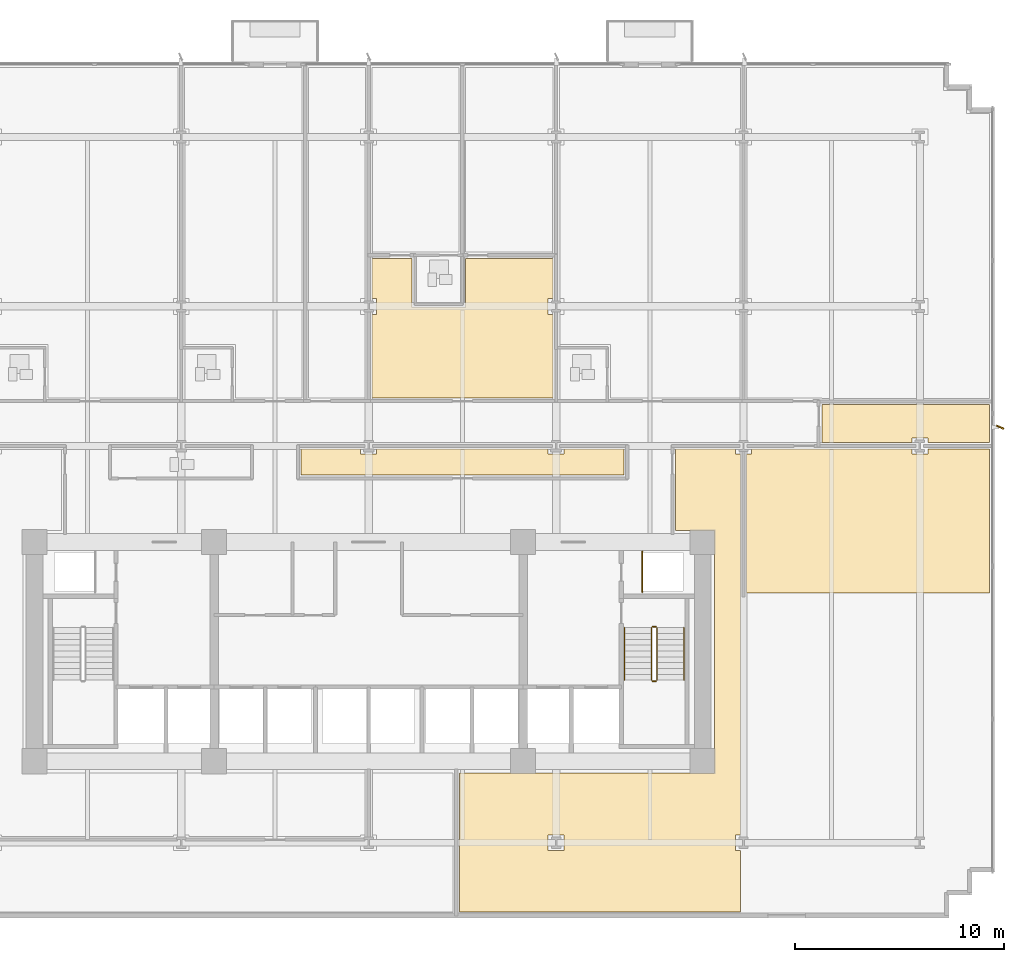
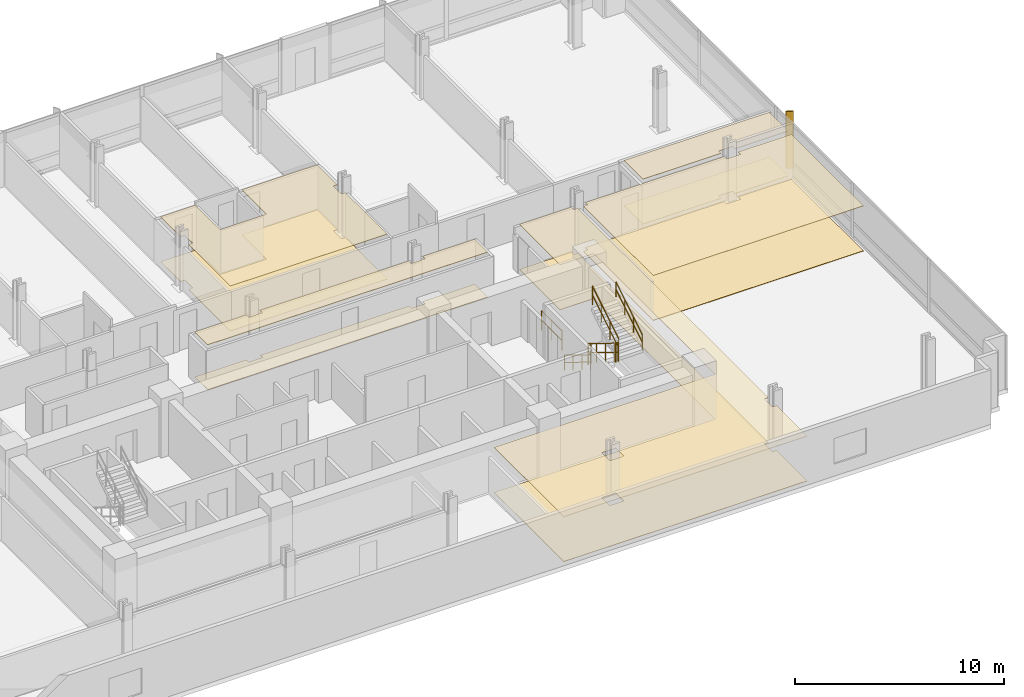
# One storey, part 13 of 16: 10 coverings, 7 railings, 1 shading device.
"""IFC4 building model written with IfcOpenShell, lengths in metres."""

from ifc_helpers import new_model, si_unit, direction, frame, origin, origin_2d, place, context, subcontext, project, spatial, polyline, rectangle, circle, outline, extrude, material, layer, layer_set, type_object, element, save


model = new_model("IFC4")

# Units and contexts
model_context = context("Model", 3, precision=1e-05, world=origin(), true_north=direction((0.0, 1.0)))
body_context = subcontext(model_context, "Body", "Model", "MODEL_VIEW")
ifc_project = project(units=[si_unit("LENGTHUNIT", "METRE"), si_unit("AREAUNIT", "SQUARE_METRE"), si_unit("VOLUMEUNIT", "CUBIC_METRE"), si_unit("PLANEANGLEUNIT", "RADIAN"), si_unit("MASSUNIT", "GRAM", prefix="KILO")], contexts=[model_context])

# Site, building, storey
site_placement = place(None, origin())
site = spatial("IfcSite", under=ifc_project, at=site_placement, CompositionType="ELEMENT")
building_placement = place(site_placement, origin())
building = spatial("IfcBuilding", under=site, at=building_placement, Name="Solmavex Isthmus Hotel", CompositionType="ELEMENT")
storey_placement = place(building_placement, frame((0.0, 0.0, 36.75)))
storey = spatial("IfcBuildingStorey", under=building, at=storey_placement, Name="L09", CompositionType="ELEMENT", Elevation=36.75)

# Coverings
ifc_material_1 = material(Name="Gypsum plasterboard lining", Category="gypsum")
ifc_layer_1 = layer(ifc_material_1, 0.030029296875)
ifc_layer_set_1 = layer_set([ifc_layer_1], Name="Gypsum plasterboard lining")
covering_type_1 = type_object("IfcCoveringType", Name="COV-CEIL-GYP", PredefinedType="CEILING", material=ifc_layer_set_1)
covering_1_placement = place(storey_placement, frame((0.0, 0.0, 2.6201171875)))
element("IfcCovering", 1, at=covering_1_placement, inside=storey, type_object=covering_type_1, Name="Suspended Acoustic Ceiling L09-ST05-FY", PredefinedType="CEILING", context=body_context, shape_type="SweptSolid", body=[
    extrude(outline(polyline([(8.821044921875, 8.407958984375), (8.595947265625, 8.407958984375), (8.595947265625, 9.16796875), (8.821044921875, 9.16796875), (8.821044921875, 11.0830078125), (4.64306640625, 11.0830078125), (4.64306640625, 8.73291015625), (2.0830078125, 8.73291015625), (2.0830078125, 11.0830078125), (0.155029296875, 11.0830078125), (0.155029296875, 9.16796875), (0.3798828125, 9.16796875), (0.3798828125, 8.407958984375), (0.155029296875, 8.407958984375), (0.155029296875, 4.405029296875), (8.821044921875, 4.405029296875), (8.821044921875, 8.407958984375)])), origin(), (0.0, 0.0, 1.0), 0.02978515625),
])
covering_2_placement = place(storey_placement, frame((0.0, 0.0, 2.6201171875)))
element("IfcCovering", 2, at=covering_2_placement, inside=storey, type_object=covering_type_1, Name="Suspended Acoustic Ceiling L09-FL10", PredefinedType="CEILING", context=body_context, shape_type="SweptSolid", body=[
    extrude(outline(polyline([(26.02001953125, 2.2548828125), (26.02001953125, 2.47998046875), (26.780029296875, 2.47998046875), (26.780029296875, 2.2548828125), (29.72509765625, 2.2548828125), (29.72509765625, 4.074951171875), (21.70703125, 4.074951171875), (21.70703125, 2.2548828125), (26.02001953125, 2.2548828125)])), origin(), (0.0, 0.0, 1.0), 0.02978515625),
])
covering_3_placement = place(storey_placement, frame((0.0, 0.0, 2.6201171875)))
element("IfcCovering", 3, at=covering_3_placement, inside=storey, type_object=covering_type_1, Name="Suspended Acoustic Ceiling L09-FL11", PredefinedType="CEILING", context=body_context, shape_type="SweptSolid", body=[
    extrude(outline(polyline([(0.3798828125, 1.945068359375), (0.3798828125, 1.719970703125), (-0.3798828125, 1.719970703125), (-0.3798828125, 1.945068359375), (-3.23291015625, 1.945068359375), (-3.23291015625, 0.705078125), (12.22900390625, 0.705078125), (12.22900390625, 1.945068359375), (9.35595703125, 1.945068359375), (9.35595703125, 1.719970703125), (8.595947265625, 1.719970703125), (8.595947265625, 1.945068359375), (0.3798828125, 1.945068359375)])), origin(), (0.0, 0.0, 1.0), 0.02978515625),
])
covering_4_placement = place(storey_placement, frame((0.0, 0.0, 2.6201171875)))
element("IfcCovering", 4, at=covering_4_placement, inside=storey, type_object=covering_type_1, Name="Suspended Acoustic Ceiling L09-FL13", PredefinedType="CEILING", context=body_context, shape_type="SweptSolid", body=[
    extrude(outline(polyline([(26.780029296875, 1.945068359375), (26.780029296875, 1.719970703125), (26.02001953125, 1.719970703125), (26.02001953125, 1.945068359375), (18.33203125, 1.945068359375), (18.33203125, 1.719970703125), (18.10693359375, 1.719970703125), (18.10693359375, -4.945068359375), (29.72509765625, -4.945068359375), (29.72509765625, 1.945068359375), (26.780029296875, 1.945068359375)])), origin(), (0.0, 0.0, 1.0), 0.02978515625),
])
covering_5_placement = place(storey_placement, frame((0.0, 0.0, 2.6201171875)))
element("IfcCovering", 5, at=covering_5_placement, inside=storey, type_object=covering_type_1, Name="Suspended Acoustic Ceiling L09-FL15", PredefinedType="CEILING", context=body_context, shape_type="SweptSolid", body=[
    extrude(outline(polyline([(17.797119140625, 1.719970703125), (17.572021484375, 1.719970703125), (17.572021484375, 1.945068359375), (14.698974609375, 1.945068359375), (14.698974609375, -1.945068359375), (16.554931640625, -1.945068359375), (16.554931640625, -13.554931640625), (4.35498046875, -13.554931640625), (4.35498046875, -20.22509765625), (17.797119140625, -20.22509765625), (17.797119140625, -17.280029296875), (17.572021484375, -17.280029296875), (17.572021484375, -16.52001953125), (17.797119140625, -16.52001953125), (17.797119140625, 1.719970703125)]), holes=[polyline([(8.595947265625, -17.280029296875), (8.595947265625, -16.52001953125), (9.35595703125, -16.52001953125), (9.35595703125, -17.280029296875), (8.595947265625, -17.280029296875)])]), origin(), (0.0, 0.0, 1.0), 0.02978515625),
])
ifc_material_2 = material(Name="Travertine natural stone", Category="masonry")
ifc_layer_2 = layer(ifc_material_2, 0.02490234375)
ifc_layer_set_2 = layer_set([ifc_layer_2], Name="Travertine natural stone")
covering_type_2 = type_object("IfcCoveringType", Name="COV-FLOR-STN", PredefinedType="FLOORING", material=ifc_layer_set_2)
covering_6_placement = place(storey_placement, origin())
element("IfcCovering", 6, at=covering_6_placement, inside=storey, type_object=covering_type_2, Name="Stone and Timber Floor Finish L09-ST05-FY", PredefinedType="FLOORING", context=body_context, shape_type="SweptSolid", body=[
    extrude(outline(polyline([(8.821044921875, 8.407958984375), (8.595947265625, 8.407958984375), (8.595947265625, 9.16796875), (8.821044921875, 9.16796875), (8.821044921875, 11.0830078125), (4.64306640625, 11.0830078125), (4.64306640625, 8.73291015625), (2.0830078125, 8.73291015625), (2.0830078125, 11.0830078125), (0.155029296875, 11.0830078125), (0.155029296875, 9.16796875), (0.3798828125, 9.16796875), (0.3798828125, 8.407958984375), (0.155029296875, 8.407958984375), (0.155029296875, 4.405029296875), (8.821044921875, 4.405029296875), (8.821044921875, 8.407958984375)])), origin(), (0.0, 0.0, 1.0), 0.02490234375),
])
covering_7_placement = place(storey_placement, origin())
element("IfcCovering", 7, at=covering_7_placement, inside=storey, type_object=covering_type_2, Name="Stone and Timber Floor Finish L09-FL10", PredefinedType="FLOORING", context=body_context, shape_type="SweptSolid", body=[
    extrude(outline(polyline([(26.02001953125, 2.2548828125), (26.02001953125, 2.47998046875), (26.780029296875, 2.47998046875), (26.780029296875, 2.2548828125), (29.72509765625, 2.2548828125), (29.72509765625, 4.074951171875), (21.70703125, 4.074951171875), (21.70703125, 2.2548828125), (26.02001953125, 2.2548828125)])), origin(), (0.0, 0.0, 1.0), 0.02490234375),
])
covering_8_placement = place(storey_placement, origin())
element("IfcCovering", 8, at=covering_8_placement, inside=storey, type_object=covering_type_2, Name="Stone and Timber Floor Finish L09-FL11", PredefinedType="FLOORING", context=body_context, shape_type="SweptSolid", body=[
    extrude(outline(polyline([(0.3798828125, 1.945068359375), (0.3798828125, 1.719970703125), (-0.3798828125, 1.719970703125), (-0.3798828125, 1.945068359375), (-3.23291015625, 1.945068359375), (-3.23291015625, 0.705078125), (12.22900390625, 0.705078125), (12.22900390625, 1.945068359375), (9.35595703125, 1.945068359375), (9.35595703125, 1.719970703125), (8.595947265625, 1.719970703125), (8.595947265625, 1.945068359375), (0.3798828125, 1.945068359375)])), origin(), (0.0, 0.0, 1.0), 0.02490234375),
])
covering_9_placement = place(storey_placement, origin())
element("IfcCovering", 9, at=covering_9_placement, inside=storey, type_object=covering_type_2, Name="Stone and Timber Floor Finish L09-FL13", PredefinedType="FLOORING", context=body_context, shape_type="SweptSolid", body=[
    extrude(outline(polyline([(26.780029296875, 1.945068359375), (26.780029296875, 1.719970703125), (26.02001953125, 1.719970703125), (26.02001953125, 1.945068359375), (18.33203125, 1.945068359375), (18.33203125, 1.719970703125), (18.10693359375, 1.719970703125), (18.10693359375, -4.945068359375), (29.72509765625, -4.945068359375), (29.72509765625, 1.945068359375), (26.780029296875, 1.945068359375)])), origin(), (0.0, 0.0, 1.0), 0.02490234375),
])
covering_10_placement = place(storey_placement, origin())
element("IfcCovering", 10, at=covering_10_placement, inside=storey, type_object=covering_type_2, Name="Stone and Timber Floor Finish L09-FL15", PredefinedType="FLOORING", context=body_context, shape_type="SweptSolid", body=[
    extrude(outline(polyline([(17.797119140625, 1.719970703125), (17.572021484375, 1.719970703125), (17.572021484375, 1.945068359375), (14.698974609375, 1.945068359375), (14.698974609375, -1.945068359375), (16.554931640625, -1.945068359375), (16.554931640625, -13.554931640625), (4.35498046875, -13.554931640625), (4.35498046875, -20.22509765625), (17.797119140625, -20.22509765625), (17.797119140625, -17.280029296875), (17.572021484375, -17.280029296875), (17.572021484375, -16.52001953125), (17.797119140625, -16.52001953125), (17.797119140625, 1.719970703125)]), holes=[polyline([(8.595947265625, -17.280029296875), (8.595947265625, -16.52001953125), (9.35595703125, -16.52001953125), (9.35595703125, -17.280029296875), (8.595947265625, -17.280029296875)])]), origin(), (0.0, 0.0, 1.0), 0.02490234375),
])

# Railings
ifc_material_3 = material(Name="Clear low-E laminated glass", Category="glass")
ifc_layer_3 = layer(ifc_material_3, 0.080078125)
ifc_layer_set_3 = layer_set([ifc_layer_3], Name="Clear low-E laminated glass")
railing_type_1 = type_object("IfcRailingType", Name="RAIL-ATRIUM-1120", PredefinedType="BALUSTRADE", material=ifc_layer_set_3)
railing_1_placement = place(storey_placement, frame((13.10009765625, -4.89990234375, 0.0)))
element("IfcRailing", 11, at=railing_1_placement, inside=storey, type_object=railing_type_1, Name="Guardrail Balustrade L09-RSE-01", PredefinedType="BALUSTRADE", context=body_context, shape_type="SweptSolid", body=[
    extrude(circle(Radius=0.02392578125, at=origin_2d()), frame((0.0, 0.0, 1.1259765625), z_axis=(0.0, 1.0, 0.0), x_axis=(-1.0, 0.0, 0.0)), (0.0, 0.0, 1.0), 1.949951171875),
    extrude(circle(Radius=0.02392578125, at=origin_2d()), frame((0.0, 0.0, 0.574951171875), z_axis=(0.0, 1.0, 0.0), x_axis=(-1.0, 0.0, 0.0)), (0.0, 0.0, 1.0), 1.949951171875),
    extrude(circle(Radius=0.02099609375, at=origin_2d()), origin(), (0.0, 0.0, 1.0), 1.101806640625),
    extrude(circle(Radius=0.02099609375, at=origin_2d()), frame((0.0, 0.97509765625, 0.0)), (0.0, 0.0, 1.0), 1.101806640625),
    extrude(circle(Radius=0.02099609375, at=origin_2d()), frame((0.0, 1.949951171875, 0.0)), (0.0, 0.0, 1.0), 1.101806640625),
])
ifc_material_4 = material(Name="Stainless steel 316", Category="steel")
ifc_layer_4 = layer(ifc_material_4, 0.06005859375)
ifc_layer_set_4 = layer_set([ifc_layer_4], Name="Stainless steel 316")
railing_type_2 = type_object("IfcRailingType", Name="RAIL-STAIR-GD", PredefinedType="GUARDRAIL", material=ifc_layer_set_4)
railing_2_placement = place(storey_placement, frame((13.550048828125, -6.60009765625, 0.172607421875)))
element("IfcRailing", 12, at=railing_2_placement, inside=storey, type_object=railing_type_2, Name="L09 ST-2 stair guard 1", PredefinedType="GUARDRAIL", context=body_context, shape_type="SweptSolid", body=[
    extrude(circle(Radius=0.02392578125, at=origin_2d()), frame((0.0, 0.0, 1.09619140625), z_axis=(0.0, -0.851400495292, 0.524516154772), x_axis=(1.0, 0.0, 0.0)), (0.0, 0.0, 1.0), 2.9599609375),
    extrude(circle(Radius=0.02392578125, at=origin_2d()), frame((0.0, 0.0, 0.56005859375), z_axis=(0.0, -0.851400495292, 0.524516154772), x_axis=(1.0, 0.0, 0.0)), (0.0, 0.0, 1.0), 2.9599609375),
    extrude(circle(Radius=0.02099609375, at=origin_2d()), origin(), (0.0, 0.0, 1.0), 1.072021484375),
    extrude(circle(Radius=0.02099609375, at=origin_2d()), frame((0.0, -0.840087890625, 0.517578125)), (0.0, 0.0, 1.0), 1.072021484375),
    extrude(circle(Radius=0.02099609375, at=origin_2d()), frame((0.0, -1.679931640625, 1.034912109375)), (0.0, 0.0, 1.0), 1.072021484375),
    extrude(circle(Radius=0.02099609375, at=origin_2d()), frame((0.0, -2.52001953125, 1.552490234375)), (0.0, 0.0, 1.0), 1.072021484375),
])
railing_3_placement = place(storey_placement, frame((13.60009765625, -9.169921875, 1.72509765625)))
element("IfcRailing", 13, at=railing_3_placement, inside=storey, type_object=railing_type_2, Name="L09 ST-2 stair guard 2", PredefinedType="GUARDRAIL", context=body_context, shape_type="SweptSolid", body=[
    extrude(circle(Radius=0.02392578125, at=origin_2d()), frame((0.0, 0.0, 1.09619140625), z_axis=(1.0, 0.0, 0.0), x_axis=(0.0, 1.0, 0.0)), (0.0, 0.0, 1.0), 0.14990234375),
    extrude(circle(Radius=0.02392578125, at=origin_2d()), frame((0.0, 0.0, 0.56005859375), z_axis=(1.0, 0.0, 0.0), x_axis=(0.0, 1.0, 0.0)), (0.0, 0.0, 1.0), 0.14990234375),
    extrude(circle(Radius=0.02099609375, at=origin_2d()), origin(), (0.0, 0.0, 1.0), 1.072021484375),
    extrude(circle(Radius=0.02099609375, at=origin_2d()), frame((0.14990234375, 0.0, 0.0)), (0.0, 0.0, 1.0), 1.072021484375),
])
railing_4_placement = place(storey_placement, frame((13.800048828125, -9.1201171875, 1.8974609375)))
element("IfcRailing", 14, at=railing_4_placement, inside=storey, type_object=railing_type_2, Name="L09 ST-2 stair guard 3", PredefinedType="GUARDRAIL", context=body_context, shape_type="SweptSolid", body=[
    extrude(circle(Radius=0.02392578125, at=origin_2d()), frame((0.0, 0.0, 1.09619140625), z_axis=(0.0, 0.851400495292, 0.524516154772), x_axis=(-1.0, 0.0, 0.0)), (0.0, 0.0, 1.0), 2.9599609375),
    extrude(circle(Radius=0.02392578125, at=origin_2d()), frame((0.0, 0.0, 0.56005859375), z_axis=(0.0, 0.851400495292, 0.524516154772), x_axis=(-1.0, 0.0, 0.0)), (0.0, 0.0, 1.0), 2.9599609375),
    extrude(circle(Radius=0.02099609375, at=origin_2d()), origin(), (0.0, 0.0, 1.0), 1.072021484375),
    extrude(circle(Radius=0.02099609375, at=origin_2d()), frame((0.0, 0.840087890625, 0.517578125)), (0.0, 0.0, 1.0), 1.072021484375),
    extrude(circle(Radius=0.02099609375, at=origin_2d()), frame((0.0, 1.679931640625, 1.034912109375)), (0.0, 0.0, 1.0), 1.072021484375),
    extrude(circle(Radius=0.02099609375, at=origin_2d()), frame((0.0, 2.52001953125, 1.552490234375)), (0.0, 0.0, 1.0), 1.072021484375),
])
railing_5_placement = place(storey_placement, frame((13.60009765625, -6.550048828125, 0.0)))
element("IfcRailing", 15, at=railing_5_placement, inside=storey, type_object=railing_type_2, Name="L09 ST-2 stair guard 4", PredefinedType="GUARDRAIL", context=body_context, shape_type="SweptSolid", body=[
    extrude(circle(Radius=0.02392578125, at=origin_2d()), frame((0.0, 0.0, 1.09619140625), z_axis=(1.0, 0.0, 0.0), x_axis=(0.0, 1.0, 0.0)), (0.0, 0.0, 1.0), 0.14990234375),
    extrude(circle(Radius=0.02392578125, at=origin_2d()), frame((0.0, 0.0, 0.56005859375), z_axis=(1.0, 0.0, 0.0), x_axis=(0.0, 1.0, 0.0)), (0.0, 0.0, 1.0), 0.14990234375),
    extrude(circle(Radius=0.02099609375, at=origin_2d()), origin(), (0.0, 0.0, 1.0), 1.072021484375),
    extrude(circle(Radius=0.02099609375, at=origin_2d()), frame((0.14990234375, 0.0, 0.0)), (0.0, 0.0, 1.0), 1.072021484375),
])
ifc_layer_5 = layer(ifc_material_4, 0.050048828125)
ifc_layer_set_5 = layer_set([ifc_layer_5], Name="Stainless steel 316")
railing_type_3 = type_object("IfcRailingType", Name="RAIL-STAIR-HR", PredefinedType="HANDRAIL", material=ifc_layer_set_5)
railing_6_placement = place(storey_placement, frame((12.25, -6.60009765625, 0.172607421875)))
element("IfcRailing", 16, at=railing_6_placement, inside=storey, type_object=railing_type_3, Name="L09 ST-2 stair handrail 1", PredefinedType="HANDRAIL", context=body_context, shape_type="SweptSolid", body=[
    extrude(circle(Radius=0.02392578125, at=origin_2d()), frame((0.0, 0.0, 0.8759765625), z_axis=(0.0, -0.851400495292, 0.524516154772), x_axis=(1.0, 0.0, 0.0)), (0.0, 0.0, 1.0), 2.9599609375),
    extrude(circle(Radius=0.02392578125, at=origin_2d()), frame((0.0, 0.0, 0.449951171875), z_axis=(0.0, -0.851400495292, 0.524516154772), x_axis=(1.0, 0.0, 0.0)), (0.0, 0.0, 1.0), 2.9599609375),
    extrude(circle(Radius=0.02099609375, at=origin_2d()), origin(), (0.0, 0.0, 1.0), 0.851806640625),
    extrude(circle(Radius=0.02099609375, at=origin_2d()), frame((0.0, -0.840087890625, 0.517578125)), (0.0, 0.0, 1.0), 0.851806640625),
    extrude(circle(Radius=0.02099609375, at=origin_2d()), frame((0.0, -1.679931640625, 1.034912109375)), (0.0, 0.0, 1.0), 0.851806640625),
    extrude(circle(Radius=0.02099609375, at=origin_2d()), frame((0.0, -2.52001953125, 1.552490234375)), (0.0, 0.0, 1.0), 0.851806640625),
])
railing_7_placement = place(storey_placement, frame((15.10009765625, -9.1201171875, 1.8974609375)))
element("IfcRailing", 17, at=railing_7_placement, inside=storey, type_object=railing_type_3, Name="L09 ST-2 stair handrail 2", PredefinedType="HANDRAIL", context=body_context, shape_type="SweptSolid", body=[
    extrude(circle(Radius=0.02392578125, at=origin_2d()), frame((0.0, 0.0, 0.8759765625), z_axis=(0.0, 0.851400495292, 0.524516154772), x_axis=(-1.0, 0.0, 0.0)), (0.0, 0.0, 1.0), 2.9599609375),
    extrude(circle(Radius=0.02392578125, at=origin_2d()), frame((0.0, 0.0, 0.449951171875), z_axis=(0.0, 0.851400495292, 0.524516154772), x_axis=(-1.0, 0.0, 0.0)), (0.0, 0.0, 1.0), 2.9599609375),
    extrude(circle(Radius=0.02099609375, at=origin_2d()), origin(), (0.0, 0.0, 1.0), 0.851806640625),
    extrude(circle(Radius=0.02099609375, at=origin_2d()), frame((0.0, 0.840087890625, 0.517578125)), (0.0, 0.0, 1.0), 0.851806640625),
    extrude(circle(Radius=0.02099609375, at=origin_2d()), frame((0.0, 1.679931640625, 1.034912109375)), (0.0, 0.0, 1.0), 0.851806640625),
    extrude(circle(Radius=0.02099609375, at=origin_2d()), frame((0.0, 2.52001953125, 1.552490234375)), (0.0, 0.0, 1.0), 0.851806640625),
])

# Shading device
ifc_material_5 = material(Name="Aluminium alloy 6063-T6", Category="aluminium")
shading_device_type = type_object("IfcShadingDeviceType", Name="SHD-FIN-CHAMP", PredefinedType="USERDEFINED", material=ifc_material_5)
shading_device_placement = place(storey_placement, frame((30.239990234375, 3.0, -0.14013671875), z_axis=(0.0, 0.0, 1.0), x_axis=(0.913545457643, -0.406736643076, 0.0)))
element("IfcShadingDevice", 18, at=shading_device_placement, inside=storey, type_object=shading_device_type, Name="Anodised Aluminium Solar Fin L09-E1", ObjectType="SOLAR_FIN", PredefinedType="USERDEFINED", context=body_context, shape_type="SweptSolid", body=[
    extrude(rectangle(XDim=0.3798828125, YDim=0.070068359375, at=origin_2d()), origin(), (0.0, 0.0, 1.0), 3.330078125),
])

save(model, "model.ifc")
